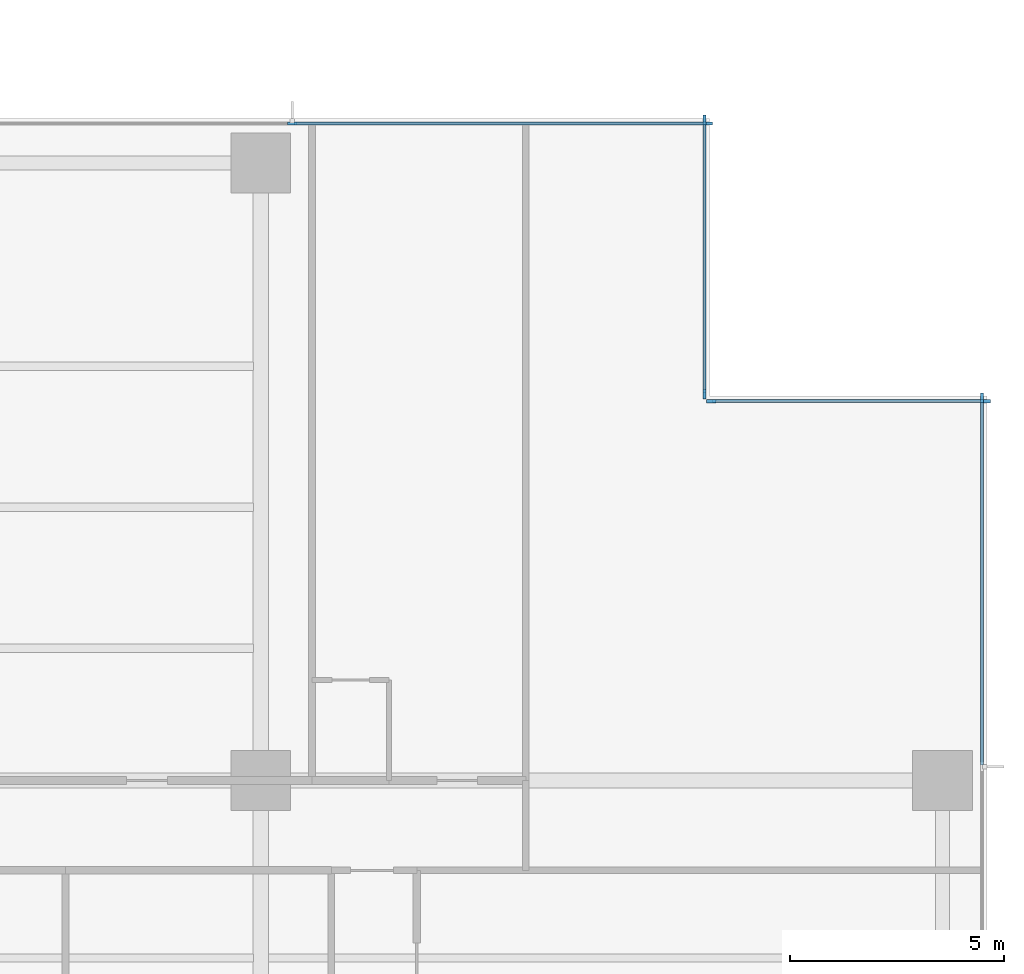
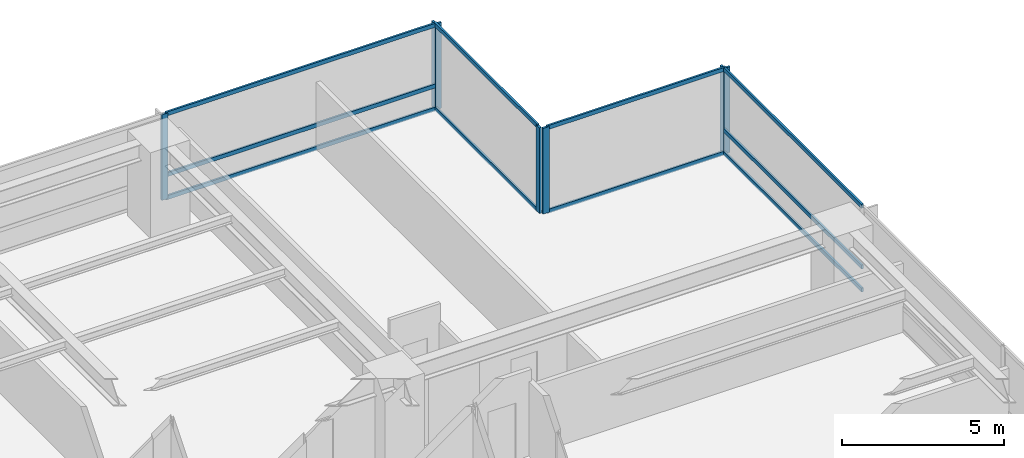
# One storey, part 5 of 16: 17 members, 4 elements without a shape of their own.
"""IFC4 building model written with IfcOpenShell, lengths in metres."""

from ifc_helpers import new_model, si_unit, direction, frame, origin, origin_2d, place, context, subcontext, project, spatial, rectangle, extrude, material, layer, layer_set, material_profile, profile_set, type_object, element, aggregate, save


model = new_model("IFC4")

# Units and contexts
model_context = context("Model", 3, precision=1e-05, world=origin(), true_north=direction((0.0, 1.0)))
body_context = subcontext(model_context, "Body", "Model", "MODEL_VIEW")
ifc_project = project(units=[si_unit("LENGTHUNIT", "METRE"), si_unit("AREAUNIT", "SQUARE_METRE"), si_unit("VOLUMEUNIT", "CUBIC_METRE"), si_unit("PLANEANGLEUNIT", "RADIAN"), si_unit("MASSUNIT", "GRAM", prefix="KILO")], contexts=[model_context])

# Site, building, storey
site_placement = place(None, origin())
site = spatial("IfcSite", under=ifc_project, at=site_placement, CompositionType="ELEMENT")
building_placement = place(site_placement, origin())
building = spatial("IfcBuilding", under=site, at=building_placement, Name="Qalmaran Belvedere Hotel", CompositionType="ELEMENT")
storey_placement = place(building_placement, frame((0.0, 0.0, 43.89990234375)))
storey = spatial("IfcBuildingStorey", under=building, at=storey_placement, Name="L10", CompositionType="ELEMENT", Elevation=43.89990234375)

# Curtain wall, member
ifc_material = material(Name="Anodised Bronze Aluminium", Category="aluminium")
ifc_layer = layer(ifc_material, 0.2099609375, Name="Anodised Bronze Aluminium")
ifc_layer_set = layer_set([ifc_layer], Name="Anodised Bronze Aluminium")
curtain_wall_type = type_object("IfcCurtainWallType", Name="CW2-TOWER-LOWER", PredefinedType="NOTDEFINED", material=ifc_layer_set)
curtain_wall_1_placement = place(storey_placement, origin())
curtain_wall_1 = element("IfcCurtainWall", 1, at=curtain_wall_1_placement, inside=storey, type_object=curtain_wall_type, Name="L10 Curtain Wall CW2", PredefinedType="NOTDEFINED")
ifc_material_profile_1 = material_profile(ifc_material, rectangle(XDim=0.074951171875, YDim=0.219970703125, at=origin_2d()), Name="CWM75X220")
ifc_profile_set_1 = profile_set([ifc_material_profile_1], Name="Anodised Bronze Aluminium")
member_type_1 = type_object("IfcMemberType", Name="CWM-75X220", PredefinedType="MULLION", material=ifc_profile_set_1)
member_1_placement = place(storey_placement, frame((61.679931640625, 41.96240234375, 0.0), z_axis=(0.0, 0.0, 1.0), x_axis=(-1.0, 0.0, 0.0)))
member_1 = element("IfcMember", 2, at=member_1_placement, type_object=member_type_1, Name="CW2 mullion 5", PredefinedType="MULLION", context=body_context, shape_type="SweptSolid", body=[
    extrude(rectangle(XDim=0.074951171875, YDim=0.219970703125, at=origin_2d()), origin(), (0.0, 0.0, 1.0), 3.22021484375),
])

# Curtain wall, members
curtain_wall_2_placement = place(storey_placement, origin())
curtain_wall_2 = element("IfcCurtainWall", 3, at=curtain_wall_2_placement, inside=storey, type_object=curtain_wall_type, Name="L10 Curtain Wall CW2", PredefinedType="NOTDEFINED")
member_2_placement = place(storey_placement, frame((61.762451171875, 41.8798828125, 0.0), z_axis=(0.0, 0.0, 1.0), x_axis=(0.0, -1.0, 0.0)))
member_2 = element("IfcMember", 4, at=member_2_placement, type_object=member_type_1, Name="CW2 mullion 1", PredefinedType="MULLION", context=body_context, shape_type="SweptSolid", body=[
    extrude(rectangle(XDim=0.074951171875, YDim=0.219970703125, at=origin_2d()), origin(), (0.0, 0.0, 1.0), 3.22021484375),
])
member_3_placement = place(storey_placement, frame((55.33740234375, 41.8798828125, 0.0), z_axis=(0.0, 0.0, 1.0), x_axis=(0.0, -1.0, 0.0)))
member_3 = element("IfcMember", 5, at=member_3_placement, type_object=member_type_1, Name="CW2 mullion 2", PredefinedType="MULLION", context=body_context, shape_type="SweptSolid", body=[
    extrude(rectangle(XDim=0.074951171875, YDim=0.219970703125, at=origin_2d()), origin(), (0.0, 0.0, 1.0), 3.22021484375),
])

curtain_wall_3_placement = place(storey_placement, origin())
curtain_wall_3 = element("IfcCurtainWall", 6, at=curtain_wall_3_placement, inside=storey, type_object=curtain_wall_type, Name="L10 Curtain Wall CW2", PredefinedType="NOTDEFINED")
member_4_placement = place(storey_placement, frame((55.179931640625, 42.03759765625, 0.0), z_axis=(0.0, 0.0, 1.0), x_axis=(-1.0, 0.0, 0.0)))
member_4 = element("IfcMember", 7, at=member_4_placement, type_object=member_type_1, Name="CW2 mullion 1", PredefinedType="MULLION", context=body_context, shape_type="SweptSolid", body=[
    extrude(rectangle(XDim=0.074951171875, YDim=0.219970703125, at=origin_2d()), origin(), (0.0, 0.0, 1.0), 3.22021484375),
])
member_5_placement = place(storey_placement, frame((55.179931640625, 48.46240234375, 0.0), z_axis=(0.0, 0.0, 1.0), x_axis=(-1.0, 0.0, 0.0)))
member_5 = element("IfcMember", 8, at=member_5_placement, type_object=member_type_1, Name="CW2 mullion 2", PredefinedType="MULLION", context=body_context, shape_type="SweptSolid", body=[
    extrude(rectangle(XDim=0.074951171875, YDim=0.219970703125, at=origin_2d()), origin(), (0.0, 0.0, 1.0), 3.22021484375),
])

curtain_wall_4_placement = place(storey_placement, origin())
curtain_wall_4 = element("IfcCurtainWall", 9, at=curtain_wall_4_placement, inside=storey, type_object=curtain_wall_type, Name="L10 Curtain Wall CW2", PredefinedType="NOTDEFINED")
member_6_placement = place(storey_placement, frame((55.262451171875, 48.3798828125, 0.0), z_axis=(0.0, 0.0, 1.0), x_axis=(0.0, -1.0, 0.0)))
member_6 = element("IfcMember", 10, at=member_6_placement, type_object=member_type_1, Name="CW2 mullion 1", PredefinedType="MULLION", context=body_context, shape_type="SweptSolid", body=[
    extrude(rectangle(XDim=0.074951171875, YDim=0.219970703125, at=origin_2d()), origin(), (0.0, 0.0, 1.0), 3.22021484375),
])
member_7_placement = place(storey_placement, frame((45.533447265625, 48.3798828125, 0.0), z_axis=(0.0, 0.0, 1.0), x_axis=(0.0, -1.0, 0.0)))
member_7 = element("IfcMember", 11, at=member_7_placement, type_object=member_type_1, Name="CW2 mullion 2", PredefinedType="MULLION", context=body_context, shape_type="SweptSolid", body=[
    extrude(rectangle(XDim=0.074951171875, YDim=0.219970703125, at=origin_2d()), origin(), (0.0, 0.0, 1.0), 3.22021484375),
])

# Member
ifc_material_profile_2 = material_profile(ifc_material, rectangle(XDim=0.070068359375, YDim=0.14990234375, at=origin_2d()), Name="CWT70X150")
ifc_profile_set_2 = profile_set([ifc_material_profile_2], Name="Anodised Bronze Aluminium")
member_type_2 = type_object("IfcMemberType", Name="CWT-70X150", PredefinedType="USERDEFINED", material=ifc_profile_set_2)
member_8_placement = place(storey_placement, frame((61.679931640625, 33.362548828125, 0.03515625), z_axis=(0.0, 1.0, 0.0), x_axis=(-1.0, 0.0, 0.0)))
member_8 = element("IfcMember", 12, at=member_8_placement, type_object=member_type_2, Name="CW2 transom 4.1", ObjectType="TRANSOM", PredefinedType="USERDEFINED", context=body_context, shape_type="SweptSolid", body=[
    extrude(rectangle(XDim=0.070068359375, YDim=0.14990234375, at=origin_2d()), origin(), (0.0, 0.0, 1.0), 8.5625),
])

member_9_placement = place(storey_placement, frame((61.679931640625, 33.362548828125, 0.901611328125), z_axis=(0.0, 1.0, 0.0), x_axis=(-1.0, 0.0, 0.0)))
member_9 = element("IfcMember", 13, at=member_9_placement, type_object=member_type_2, Name="CW2 transom 4.2", ObjectType="TRANSOM", PredefinedType="USERDEFINED", context=body_context, shape_type="SweptSolid", body=[
    extrude(rectangle(XDim=0.070068359375, YDim=0.14990234375, at=origin_2d()), origin(), (0.0, 0.0, 1.0), 8.5625),
])

member_10_placement = place(storey_placement, frame((61.679931640625, 33.362548828125, 3.18505859375), z_axis=(0.0, 1.0, 0.0), x_axis=(-1.0, 0.0, 0.0)))
member_10 = element("IfcMember", 14, at=member_10_placement, type_object=member_type_2, Name="CW2 transom 4.3", ObjectType="TRANSOM", PredefinedType="USERDEFINED", context=body_context, shape_type="SweptSolid", body=[
    extrude(rectangle(XDim=0.070068359375, YDim=0.14990234375, at=origin_2d()), origin(), (0.0, 0.0, 1.0), 8.5625),
])

aggregate(curtain_wall_1, [member_1, member_8, member_9, member_10])

member_11_placement = place(storey_placement, frame((61.72509765625, 41.8798828125, 0.03515625), z_axis=(-1.0, 0.0, 0.0), x_axis=(0.0, -1.0, 0.0)))
member_11 = element("IfcMember", 15, at=member_11_placement, type_object=member_type_2, Name="CW2 transom 1.1", ObjectType="TRANSOM", PredefinedType="USERDEFINED", context=body_context, shape_type="SweptSolid", body=[
    extrude(rectangle(XDim=0.070068359375, YDim=0.14990234375, at=origin_2d()), origin(), (0.0, 0.0, 1.0), 6.35009765625),
])

member_12_placement = place(storey_placement, frame((61.72509765625, 41.8798828125, 3.18505859375), z_axis=(-1.0, 0.0, 0.0), x_axis=(0.0, -1.0, 0.0)))
member_12 = element("IfcMember", 16, at=member_12_placement, type_object=member_type_2, Name="CW2 transom 1.2", ObjectType="TRANSOM", PredefinedType="USERDEFINED", context=body_context, shape_type="SweptSolid", body=[
    extrude(rectangle(XDim=0.070068359375, YDim=0.14990234375, at=origin_2d()), origin(), (0.0, 0.0, 1.0), 6.35009765625),
])

aggregate(curtain_wall_2, [member_2, member_3, member_11, member_12])

member_13_placement = place(storey_placement, frame((55.179931640625, 42.074951171875, 0.03515625), z_axis=(0.0, 1.0, 0.0), x_axis=(-1.0, 0.0, 0.0)))
member_13 = element("IfcMember", 17, at=member_13_placement, type_object=member_type_2, Name="CW2 transom 1.1", ObjectType="TRANSOM", PredefinedType="USERDEFINED", context=body_context, shape_type="SweptSolid", body=[
    extrude(rectangle(XDim=0.070068359375, YDim=0.14990234375, at=origin_2d()), origin(), (0.0, 0.0, 1.0), 6.35009765625),
])

member_14_placement = place(storey_placement, frame((55.179931640625, 42.074951171875, 3.18505859375), z_axis=(0.0, 1.0, 0.0), x_axis=(-1.0, 0.0, 0.0)))
member_14 = element("IfcMember", 18, at=member_14_placement, type_object=member_type_2, Name="CW2 transom 1.2", ObjectType="TRANSOM", PredefinedType="USERDEFINED", context=body_context, shape_type="SweptSolid", body=[
    extrude(rectangle(XDim=0.070068359375, YDim=0.14990234375, at=origin_2d()), origin(), (0.0, 0.0, 1.0), 6.35009765625),
])

aggregate(curtain_wall_3, [member_4, member_5, member_13, member_14])

member_15_placement = place(storey_placement, frame((55.22509765625, 48.3798828125, 0.03515625), z_axis=(-1.0, 0.0, 0.0), x_axis=(0.0, -1.0, 0.0)))
member_15 = element("IfcMember", 19, at=member_15_placement, type_object=member_type_2, Name="CW2 transom 1.1", ObjectType="TRANSOM", PredefinedType="USERDEFINED", context=body_context, shape_type="SweptSolid", body=[
    extrude(rectangle(XDim=0.070068359375, YDim=0.14990234375, at=origin_2d()), origin(), (0.0, 0.0, 1.0), 9.654296875),
])

member_16_placement = place(storey_placement, frame((55.22509765625, 48.3798828125, 0.901611328125), z_axis=(-1.0, 0.0, 0.0), x_axis=(0.0, -1.0, 0.0)))
member_16 = element("IfcMember", 20, at=member_16_placement, type_object=member_type_2, Name="CW2 transom 1.2", ObjectType="TRANSOM", PredefinedType="USERDEFINED", context=body_context, shape_type="SweptSolid", body=[
    extrude(rectangle(XDim=0.070068359375, YDim=0.14990234375, at=origin_2d()), origin(), (0.0, 0.0, 1.0), 9.654296875),
])

member_17_placement = place(storey_placement, frame((55.22509765625, 48.3798828125, 3.18505859375), z_axis=(-1.0, 0.0, 0.0), x_axis=(0.0, -1.0, 0.0)))
member_17 = element("IfcMember", 21, at=member_17_placement, type_object=member_type_2, Name="CW2 transom 1.3", ObjectType="TRANSOM", PredefinedType="USERDEFINED", context=body_context, shape_type="SweptSolid", body=[
    extrude(rectangle(XDim=0.070068359375, YDim=0.14990234375, at=origin_2d()), origin(), (0.0, 0.0, 1.0), 9.654296875),
])

aggregate(curtain_wall_4, [member_6, member_7, member_15, member_16, member_17])

save(model, "model.ifc")
